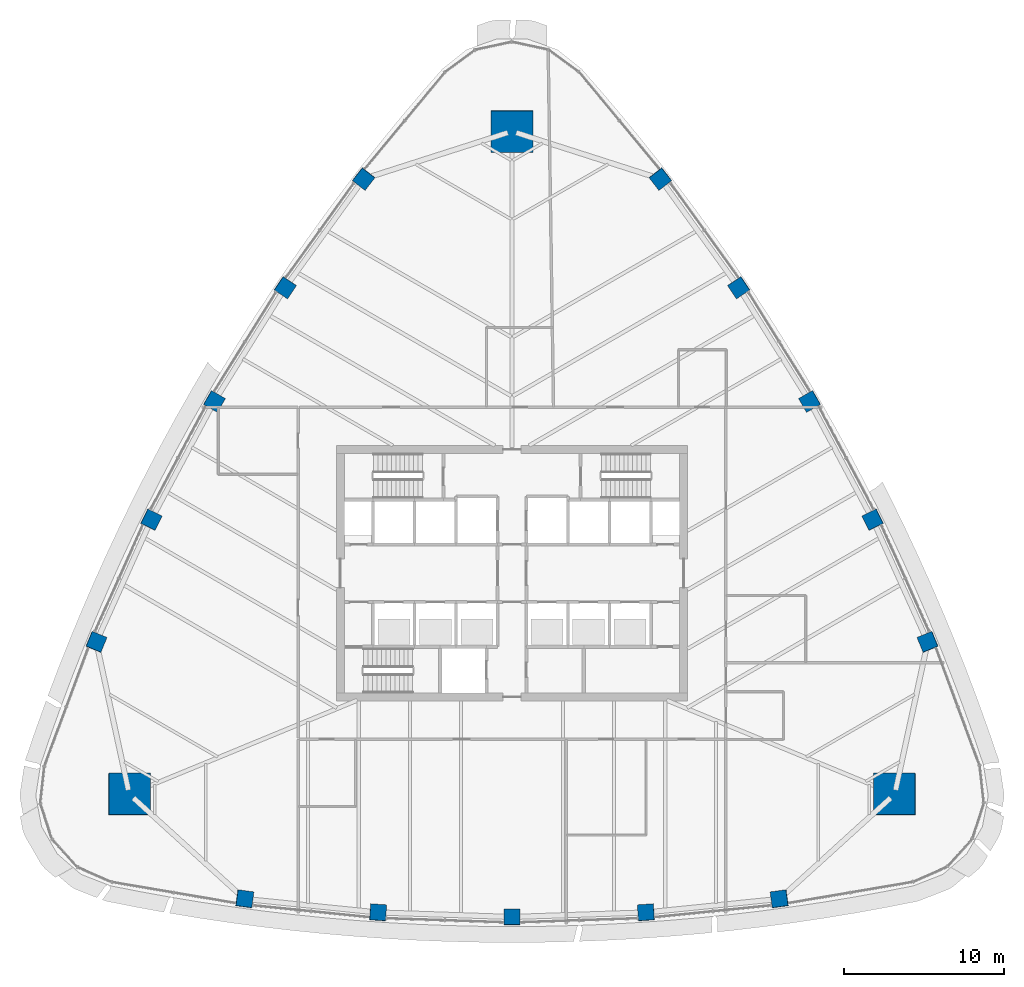
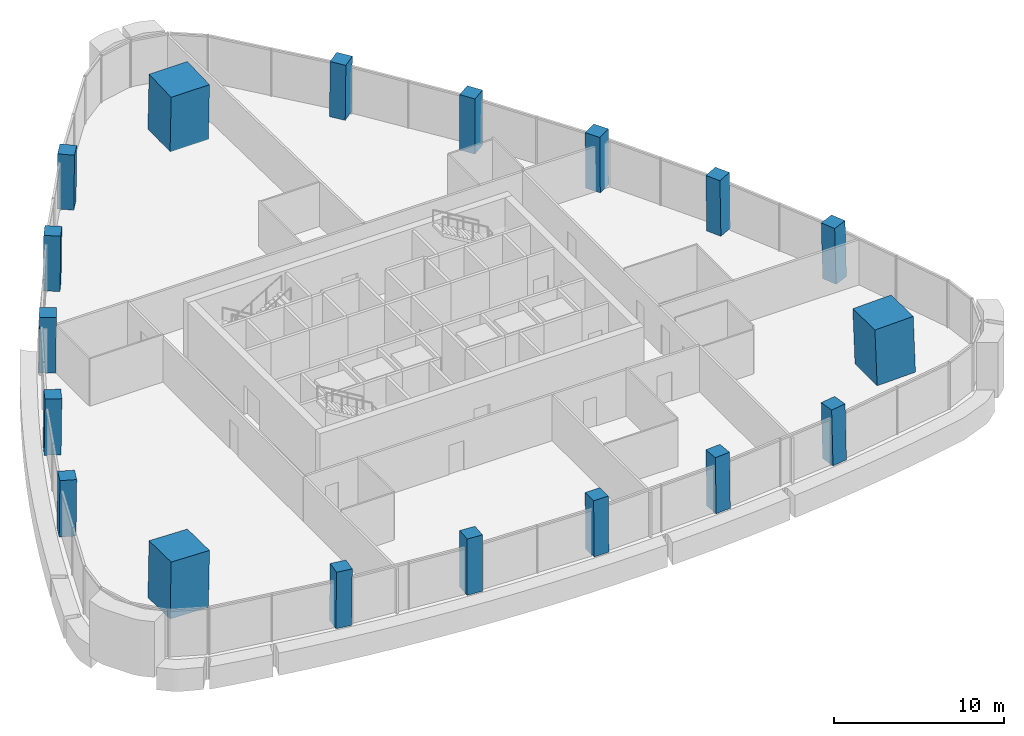
# One storey, part 1 of 16: 18 columns.
"""IFC4 building model written with IfcOpenShell, lengths in metres."""

from ifc_helpers import new_model, si_unit, direction, frame, origin, origin_2d, place, context, subcontext, project, spatial, rectangle, extrude, material, material_profile, profile_set, type_object, element, save


model = new_model("IFC4")

# Units and contexts
model_context = context("Model", 3, precision=1e-05, world=origin(), true_north=direction((0.0, 1.0)))
body_context = subcontext(model_context, "Body", "Model", "MODEL_VIEW")
ifc_project = project(units=[si_unit("LENGTHUNIT", "METRE"), si_unit("AREAUNIT", "SQUARE_METRE"), si_unit("VOLUMEUNIT", "CUBIC_METRE"), si_unit("PLANEANGLEUNIT", "RADIAN"), si_unit("MASSUNIT", "GRAM", prefix="KILO")], contexts=[model_context])

# Site, building, storey
site_placement = place(None, origin())
site = spatial("IfcSite", under=ifc_project, at=site_placement, CompositionType="ELEMENT")
building_placement = place(site_placement, origin())
building = spatial("IfcBuilding", under=site, at=building_placement, Name="Sierra Prisma Convention Tower", CompositionType="ELEMENT")
storey_placement = place(building_placement, frame((0.0, 0.0, 165.800048828125)))
storey = spatial("IfcBuildingStorey", under=building, at=storey_placement, Name="L36", CompositionType="ELEMENT", Elevation=165.800048828125)

# Columns
ifc_material_1 = material(Name="Concrete C60/75", Category="concrete")
ifc_material_profile_1 = material_profile(ifc_material_1, rectangle(XDim=2.60009765625, YDim=2.60009765625, at=origin_2d()), Name="Mega column RC 2600 C60/75")
ifc_profile_set_1 = profile_set([ifc_material_profile_1], Name="Concrete C60/75")
column_type_1 = type_object("IfcColumnType", Name="Mega column RC 2600 C60/75", PredefinedType="COLUMN", material=ifc_profile_set_1)
for number, where, z_axis, x_axis, name in (
    (1, (23.9716796875, -13.840087890625, 0.0), (-0.02806141744, 0.01622681965, 0.999474485505), (0.999606200887, 0.000455526946, 0.028057719863), "Mega column SE L36"),
    (2, (0.0, 27.679931640625, 0.0), (0.0, -0.032392660026, 0.999475220091), (1.0, 0.0, 0.0), "Mega column N L36"),
    (3, (-23.9716796875, -13.840087890625, 0.0), (0.02806141744, 0.01622681965, 0.999474485505), (0.999606200887, -0.000455526946, -0.028057719863), "Mega column SW L36"),
):
    element("IfcColumn", number, at=place(storey_placement, frame(where, z_axis=z_axis, x_axis=x_axis)), inside=storey, type_object=column_type_1, Name=name, PredefinedType="COLUMN", context=body_context, shape_type="SweptSolid", body=[
        extrude(rectangle(XDim=2.60009765625, YDim=2.60009765625, at=origin_2d()), origin(), (0.0, 0.0, 1.0), 4.002197265625),
    ])
ifc_material_2 = material(Name="Concrete C60/75", Category="concrete")
ifc_material_profile_2 = material_profile(ifc_material_2, rectangle(XDim=1.0, YDim=1.0, at=origin_2d()), Name="Perimeter column RC 1000 C60/75")
ifc_profile_set_2 = profile_set([ifc_material_profile_2], Name="Concrete C60/75")
column_type_2 = type_object("IfcColumnType", Name="Perimeter column RC 1000 C60/75", PredefinedType="COLUMN", material=ifc_profile_set_2)
column_1_placement = place(storey_placement, frame((-16.748291015625, -20.398193359375, 0.0), z_axis=(0.017696459735, 0.010434809016, 0.999788952766), x_axis=(-0.990776036146, 0.134545840015, 0.016132672842)))
element("IfcColumn", 4, at=column_1_placement, inside=storey, type_object=column_type_2, Name="Perimeter column S-1 L36", PredefinedType="COLUMN", context=body_context, shape_type="SweptSolid", body=[
    extrude(rectangle(XDim=1.0, YDim=1.0, at=origin_2d()), origin(), (0.0, 0.0, 1.0), 4.000732421875),
])
column_2_placement = place(storey_placement, frame((-8.39306640625, -21.24560546875, 0.0), z_axis=(0.008788174922, 0.01116830563, 0.999899013366), x_axis=(-0.997691697618, 0.067431644192, 0.008015601414)))
element("IfcColumn", 5, at=column_2_placement, inside=storey, type_object=column_type_2, Name="Perimeter column S-2 L36", PredefinedType="COLUMN", context=body_context, shape_type="SweptSolid", body=[
    extrude(rectangle(XDim=1.0, YDim=1.0, at=origin_2d()), origin(), (0.0, 0.0, 1.0), 4.00048828125),
])
column_3_placement = place(storey_placement, frame((0.0, -21.528564453125, 0.0), z_axis=(0.0, 0.01141283087, 0.999934871525), x_axis=(1.0, 0.0, 0.0)))
element("IfcColumn", 6, at=column_3_placement, inside=storey, type_object=column_type_2, Name="Perimeter column S-3 L36", PredefinedType="COLUMN", context=body_context, shape_type="SweptSolid", body=[
    extrude(rectangle(XDim=1.0, YDim=1.0, at=origin_2d()), origin(), (0.0, 0.0, 1.0), 4.000244140625),
])
column_4_placement = place(storey_placement, frame((8.39306640625, -21.24560546875, 0.0), z_axis=(-0.008788174922, 0.01116830563, 0.999899013366), x_axis=(0.997691697618, 0.067431644192, 0.008015601414)))
element("IfcColumn", 7, at=column_4_placement, inside=storey, type_object=column_type_2, Name="Perimeter column S-4 L36", PredefinedType="COLUMN", context=body_context, shape_type="SweptSolid", body=[
    extrude(rectangle(XDim=1.0, YDim=1.0, at=origin_2d()), origin(), (0.0, 0.0, 1.0), 4.00048828125),
])
for number, where, z_axis, x_axis, name in (
    (8, (16.748291015625, -20.398193359375, 0.0), (-0.017696459735, 0.010434809016, 0.999788952766), (0.990776036146, 0.134545840015, 0.016132672842), "Perimeter column S-5 L36"),
    (9, (26.03955078125, -4.30517578125, 0.0), (-0.017879535448, 0.010068680372, 0.999789449778), (-0.379037047043, 0.925241495115, -0.016096356291), "Perimeter column NE-1 L36"),
):
    element("IfcColumn", number, at=place(storey_placement, frame(where, z_axis=z_axis, x_axis=x_axis)), inside=storey, type_object=column_type_2, Name=name, PredefinedType="COLUMN", context=body_context, shape_type="SweptSolid", body=[
        extrude(rectangle(XDim=1.0, YDim=1.0, at=origin_2d()), origin(), (0.0, 0.0, 1.0), 4.000732421875),
    ])
column_5_placement = place(storey_placement, frame((22.595947265625, 3.354248046875, 0.0), z_axis=(-0.014158708123, 0.002013954173, 0.999897732257), x_axis=(-0.440504608639, 0.897714295087, -0.008045754452)))
element("IfcColumn", 10, at=column_5_placement, inside=storey, type_object=column_type_2, Name="Perimeter column NE-2 L36", PredefinedType="COLUMN", context=body_context, shape_type="SweptSolid", body=[
    extrude(rectangle(XDim=1.0, YDim=1.0, at=origin_2d()), origin(), (0.0, 0.0, 1.0), 4.00048828125),
])
column_6_placement = place(storey_placement, frame((18.644287109375, 10.764404296875, 0.0), z_axis=(-0.009887049298, -0.00573692984, 0.999934664812), x_axis=(-0.499975560967, 0.866039512843, 2.5126546e-05)))
element("IfcColumn", 11, at=column_6_placement, inside=storey, type_object=column_type_2, Name="Perimeter column NE-3 L36", PredefinedType="COLUMN", context=body_context, shape_type="SweptSolid", body=[
    extrude(rectangle(XDim=1.0, YDim=1.0, at=origin_2d()), origin(), (0.0, 0.0, 1.0), 4.000244140625),
])
column_7_placement = place(storey_placement, frame((14.20263671875, 17.8916015625, 0.0), z_axis=(-0.005248486563, -0.013304303149, 0.999897719223), x_axis=(-0.557173783397, 0.830356175752, 0.008123822079)))
element("IfcColumn", 12, at=column_7_placement, inside=storey, type_object=column_type_2, Name="Perimeter column NE-4 L36", PredefinedType="COLUMN", context=body_context, shape_type="SweptSolid", body=[
    extrude(rectangle(XDim=1.0, YDim=1.0, at=origin_2d()), origin(), (0.0, 0.0, 1.0), 4.00048828125),
])
for number, where, z_axis, x_axis, name in (
    (13, (9.291259765625, 24.70361328125, 0.0), (-0.000244088989, -0.020564497316, 0.999788498569), (-0.611833545966, 0.790822329337, 0.016116930591), "Perimeter column NE-5 L36"),
    (14, (-9.291259765625, 24.70361328125, 0.0), (0.000244088989, -0.020564497316, 0.999788498569), (0.611833545966, 0.790822329337, 0.016116930591), "Perimeter column NW-1 L36"),
):
    element("IfcColumn", number, at=place(storey_placement, frame(where, z_axis=z_axis, x_axis=x_axis)), inside=storey, type_object=column_type_2, Name=name, PredefinedType="COLUMN", context=body_context, shape_type="SweptSolid", body=[
        extrude(rectangle(XDim=1.0, YDim=1.0, at=origin_2d()), origin(), (0.0, 0.0, 1.0), 4.000732421875),
    ])
column_8_placement = place(storey_placement, frame((-14.20263671875, 17.8916015625, 0.0), z_axis=(0.005248486563, -0.013304303149, 0.999897719223), x_axis=(0.557173783397, 0.830356175752, 0.008123822079)))
element("IfcColumn", 15, at=column_8_placement, inside=storey, type_object=column_type_2, Name="Perimeter column NW-2 L36", PredefinedType="COLUMN", context=body_context, shape_type="SweptSolid", body=[
    extrude(rectangle(XDim=1.0, YDim=1.0, at=origin_2d()), origin(), (0.0, 0.0, 1.0), 4.00048828125),
])
column_9_placement = place(storey_placement, frame((-18.644287109375, 10.764404296875, 0.0), z_axis=(0.009887049298, -0.00573692984, 0.999934664812), x_axis=(0.499975560967, 0.866039512843, 2.5126546e-05)))
element("IfcColumn", 16, at=column_9_placement, inside=storey, type_object=column_type_2, Name="Perimeter column NW-3 L36", PredefinedType="COLUMN", context=body_context, shape_type="SweptSolid", body=[
    extrude(rectangle(XDim=1.0, YDim=1.0, at=origin_2d()), origin(), (0.0, 0.0, 1.0), 4.000244140625),
])
column_10_placement = place(storey_placement, frame((-22.595947265625, 3.354248046875, 0.0), z_axis=(0.014158708123, 0.002013954173, 0.999897732257), x_axis=(0.440504608639, 0.897714295087, -0.008045754452)))
element("IfcColumn", 17, at=column_10_placement, inside=storey, type_object=column_type_2, Name="Perimeter column NW-4 L36", PredefinedType="COLUMN", context=body_context, shape_type="SweptSolid", body=[
    extrude(rectangle(XDim=1.0, YDim=1.0, at=origin_2d()), origin(), (0.0, 0.0, 1.0), 4.00048828125),
])
column_11_placement = place(storey_placement, frame((-26.03955078125, -4.30517578125, 0.0), z_axis=(0.017879535448, 0.010068680372, 0.999789449778), x_axis=(0.379037047043, 0.925241495115, -0.016096356291)))
element("IfcColumn", 18, at=column_11_placement, inside=storey, type_object=column_type_2, Name="Perimeter column NW-5 L36", PredefinedType="COLUMN", context=body_context, shape_type="SweptSolid", body=[
    extrude(rectangle(XDim=1.0, YDim=1.0, at=origin_2d()), origin(), (0.0, 0.0, 1.0), 4.000732421875),
])

save(model, "model.ifc")
